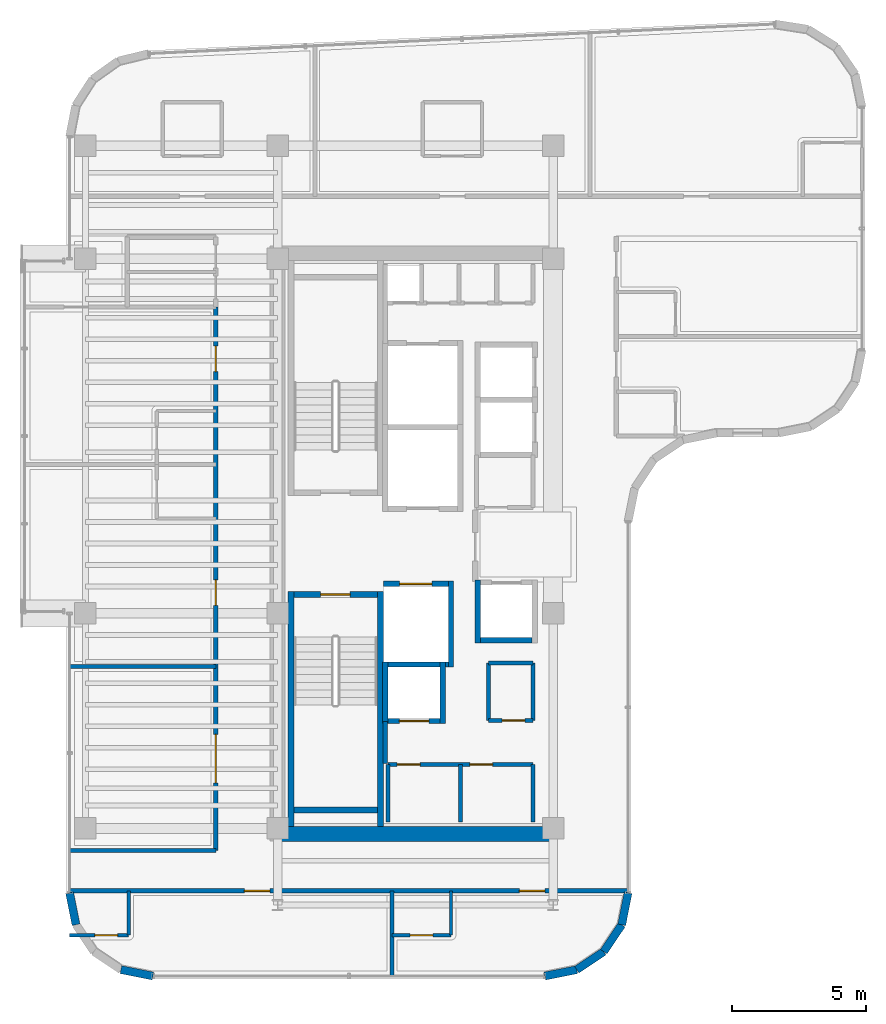
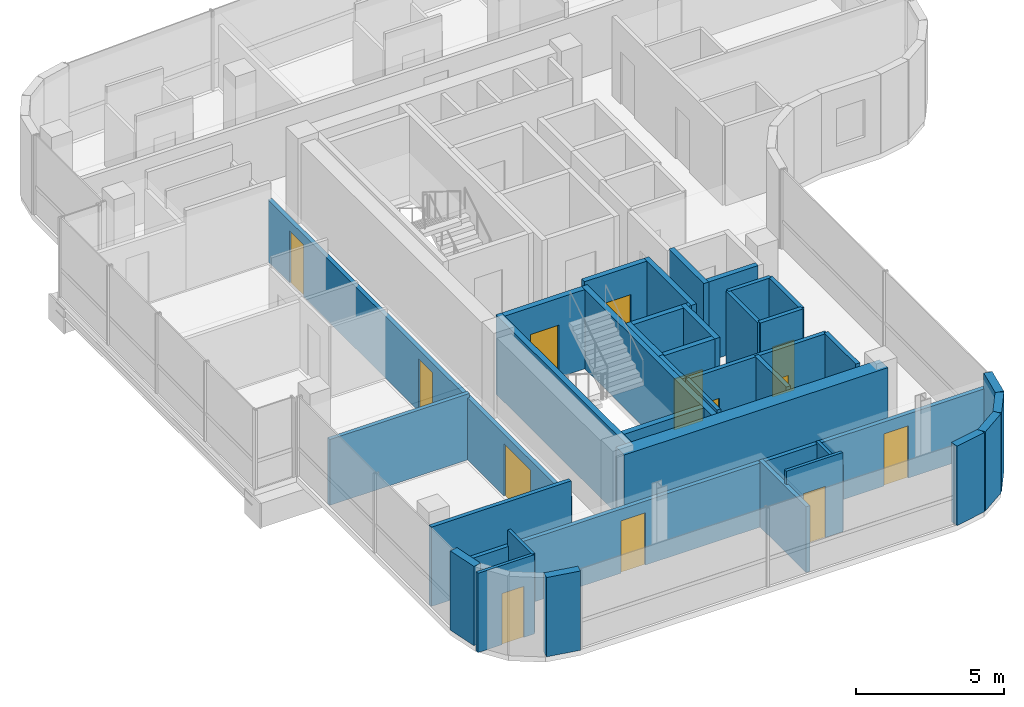
# One storey, part 14 of 20: 37 walls, 13 doors, 13 openings.
"""IFC4 building model written with IfcOpenShell, lengths in metres."""

from ifc_helpers import new_model, si_unit, direction, frame, frame_2d, origin, place, context, subcontext, project, spatial, rectangle, extrude, material, layer, layer_set, type_object, element, fill, save


model = new_model("IFC4")

# Units and contexts
model_context = context("Model", 3, precision=1e-05, world=origin(), true_north=direction((0.0, 1.0)))
body_context = subcontext(model_context, "Body", "Model", "MODEL_VIEW")
ifc_project = project(units=[si_unit("LENGTHUNIT", "METRE"), si_unit("AREAUNIT", "SQUARE_METRE"), si_unit("VOLUMEUNIT", "CUBIC_METRE"), si_unit("PLANEANGLEUNIT", "RADIAN"), si_unit("MASSUNIT", "GRAM", prefix="KILO")], contexts=[model_context])

# Site, building, storey
site_placement = place(None, origin())
site = spatial("IfcSite", under=ifc_project, at=site_placement, CompositionType="ELEMENT")
building_placement = place(site_placement, origin())
building = spatial("IfcBuilding", under=site, at=building_placement, Name="Valdorenza Pilgrim Sanctuary Tower", CompositionType="ELEMENT")
storey_placement = place(building_placement, frame((0.0, 0.0, 244.0)))
storey = spatial("IfcBuildingStorey", under=building, at=storey_placement, Name="L63", CompositionType="ELEMENT", Elevation=244.0)

# Wall
ifc_material_1 = material(Name="Acoustic twin-stud gypsum partition", Category="gypsum")
ifc_layer_1 = layer(ifc_material_1, 0.159912109375, Name="Acoustic twin-stud gypsum partition")
ifc_layer_set_1 = layer_set([ifc_layer_1], Name="Acoustic twin-stud gypsum partition")
wall_type_1 = type_object("IfcWallType", Name="WAL-COR-160", PredefinedType="PARTITIONING", material=ifc_layer_set_1)
wall_1_placement = place(storey_placement, frame((-18.64990234375, -8.179931640625, 0.0), z_axis=(0.0, 0.0, 1.0), x_axis=(0.0, 1.0, 0.0)))
element("IfcWall", 1, at=wall_1_placement, inside=storey, type_object=wall_type_1, Name="L63 Core A South Lift Hall West Wall", PredefinedType="PARTITIONING", context=body_context, shape_type="SweptSolid", body=[
    extrude(rectangle(XDim=1.559814453125, YDim=0.159912109375, at=frame_2d((0.77978515625, 0.0))), origin(), (0.0, 0.0, 1.0), 3.260009765625),
])

# Wall, openings, doors
wall_2_placement = place(storey_placement, frame((-18.550048828125, -8.219970703125, 0.0), z_axis=(0.0, 0.0, 1.0), x_axis=(1.0, 0.0, 0.0)))
wall_2 = element("IfcWall", 2, at=wall_2_placement, inside=storey, type_object=wall_type_1, Name="L63 Freed Shaft 1 North Wall", PredefinedType="PARTITIONING", context=body_context, shape_type="SweptSolid", body=[
    extrude(rectangle(XDim=5.400146484375, YDim=0.159912109375, at=frame_2d((2.7001953125, 0.0))), origin(), (0.0, 0.0, 1.0), 3.260009765625),
])
opening_1_placement = place(wall_2_placement, frame((0.35009765625, 0.0, 0.0)))
opening_1 = element("IfcOpeningElement", 3, at=opening_1_placement, cuts=wall_2, Name="Opening DR-RS1", PredefinedType="OPENING", context=body_context, shape_type="SweptSolid", body=[
    extrude(rectangle(XDim=0.85009765625, YDim=2.050048828125, at=frame_2d((0.425048828125, 1.02490234375))), frame((0.0, 0.0947265625, 0.0), z_axis=(0.0, -1.0, 0.0), x_axis=(1.0, 0.0, 0.0)), (0.0, 0.0, 1.0), 0.189697265625),
])
opening_2_placement = place(wall_2_placement, frame((3.050048828125, 0.0, 0.0)))
opening_2 = element("IfcOpeningElement", 4, at=opening_2_placement, cuts=wall_2, Name="Opening DR-RS1", PredefinedType="OPENING", context=body_context, shape_type="SweptSolid", body=[
    extrude(rectangle(XDim=0.85009765625, YDim=2.050048828125, at=frame_2d((0.425048828125, 1.02490234375))), frame((0.0, 0.0947265625, 0.0), z_axis=(0.0, -1.0, 0.0), x_axis=(1.0, 0.0, 0.0)), (0.0, 0.0, 1.0), 0.189697265625),
])
ifc_material_2 = material(Name="Painted galvanized steel", Category="steel")
door_type_1 = type_object("IfcDoorType", Name="DR-RSR-850", OperationType="NOTDEFINED", PredefinedType="DOOR", material=ifc_material_2)
door_1_placement = place(opening_1_placement, origin())
door_1 = element("IfcDoor", 5, at=door_1_placement, inside=storey, type_object=door_type_1, Name="L63 Linen Store Door", OperationType="SINGLE_SWING_LEFT", OverallHeight=2.050048828125, OverallWidth=0.85009765625, PredefinedType="DOOR", context=body_context, shape_type="SweptSolid", body=[
    extrude(rectangle(XDim=0.85009765625, YDim=2.050048828125, at=frame_2d((0.425048828125, 1.02490234375))), frame((0.0, 0.02490234375, 0.0), z_axis=(0.0, -1.0, 0.0), x_axis=(1.0, 0.0, 0.0)), (0.0, 0.0, 1.0), 0.050048828125),
])
fill(opening_1, door_1)
door_2_placement = place(opening_2_placement, origin())
door_2 = element("IfcDoor", 6, at=door_2_placement, inside=storey, type_object=door_type_1, Name="L63 Cot Store Door", OperationType="SINGLE_SWING_RIGHT", OverallHeight=2.050048828125, OverallWidth=0.85009765625, PredefinedType="DOOR", context=body_context, shape_type="SweptSolid", body=[
    extrude(rectangle(XDim=0.85009765625, YDim=2.050048828125, at=frame_2d((0.425048828125, 1.02490234375))), frame((0.0, 0.02490234375, 0.0), z_axis=(0.0, -1.0, 0.0), x_axis=(1.0, 0.0, 0.0)), (0.0, 0.0, 1.0), 0.050048828125),
])
fill(opening_2, door_2)

# Walls
for number, where, z_axis, x_axis, name in (
    (7, (-13.14990234375, -10.35009765625, 0.0), (0.0, 0.0, 1.0), (0.0, 1.0, 0.0), "L63 Freed Shaft 1 East Wall"),
    (8, (-15.85009765625, -10.35009765625, 0.0), (0.0, 0.0, 1.0), (0.0, 1.0, 0.0), "L63 Freed Shaft 1 Split Wall"),
):
    element("IfcWall", number, at=place(storey_placement, frame(where, z_axis=z_axis, x_axis=x_axis)), inside=storey, type_object=wall_type_1, Name=name, PredefinedType="PARTITIONING", context=body_context, shape_type="SweptSolid", body=[
        extrude(rectangle(XDim=2.130126953125, YDim=0.159912109375, at=frame_2d((1.06494140625, 0.0))), origin(), (0.0, 0.0, 1.0), 3.260009765625),
    ])

# Wall, opening, door
wall_3_placement = place(storey_placement, frame((-14.800048828125, -6.580078125, 0.0), z_axis=(0.0, 0.0, 1.0), x_axis=(1.0, 0.0, 0.0)))
wall_3 = element("IfcWall", 9, at=wall_3_placement, inside=storey, type_object=wall_type_1, Name="L63 Freed Shaft 2 South Wall", PredefinedType="PARTITIONING", context=body_context, shape_type="SweptSolid", body=[
    extrude(rectangle(XDim=1.650146484375, YDim=0.159912109375, at=frame_2d((0.8251953125, 0.0))), origin(), (0.0, 0.0, 1.0), 3.260009765625),
])
opening_3_placement = place(wall_3_placement, frame((0.5, 0.0, 0.0)))
opening_3 = element("IfcOpeningElement", 10, at=opening_3_placement, cuts=wall_3, Name="Opening DR-RS1", PredefinedType="OPENING", context=body_context, shape_type="SweptSolid", body=[
    extrude(rectangle(XDim=0.85009765625, YDim=2.050048828125, at=frame_2d((0.425048828125, 1.02490234375))), frame((0.0, 0.0947265625, 0.0), z_axis=(0.0, -1.0, 0.0), x_axis=(1.0, 0.0, 0.0)), (0.0, 0.0, 1.0), 0.189697265625),
])
door_3_placement = place(opening_3_placement, origin())
door_3 = element("IfcDoor", 11, at=door_3_placement, inside=storey, type_object=door_type_1, Name="L63 Guest Tea Pantry Door", OperationType="SINGLE_SWING_LEFT", OverallHeight=2.050048828125, OverallWidth=0.85009765625, PredefinedType="DOOR", context=body_context, shape_type="SweptSolid", body=[
    extrude(rectangle(XDim=0.85009765625, YDim=2.050048828125, at=frame_2d((0.425048828125, 1.02490234375))), frame((0.0, 0.02490234375, 0.0), z_axis=(0.0, -1.0, 0.0), x_axis=(1.0, 0.0, 0.0)), (0.0, 0.0, 1.0), 0.050048828125),
])
fill(opening_3, door_3)

# Wall
wall_4_placement = place(storey_placement, frame((-13.14990234375, -6.580078125, 0.0), z_axis=(0.0, 0.0, 1.0), x_axis=(0.0, 1.0, 0.0)))
element("IfcWall", 12, at=wall_4_placement, inside=storey, type_object=wall_type_1, Name="L63 Freed Shaft 2 East Wall", PredefinedType="PARTITIONING", context=body_context, shape_type="SweptSolid", body=[
    extrude(rectangle(XDim=2.130126953125, YDim=0.159912109375, at=frame_2d((1.06494140625, 0.0))), origin(), (0.0, 0.0, 1.0), 3.260009765625),
])

# Wall, openings, doors
wall_5_placement = place(storey_placement, frame((-24.949951171875, -11.419921875, 0.0), z_axis=(0.0, 0.0, 1.0), x_axis=(0.0, 1.0, 0.0)))
wall_5 = element("IfcWall", 13, at=wall_5_placement, inside=storey, type_object=wall_type_1, Name="L63 West Wing Corridor Wall", PredefinedType="PARTITIONING", context=body_context, shape_type="SweptSolid", body=[
    extrude(rectangle(XDim=20.219970703125, YDim=0.159912109375, at=frame_2d((10.10986328125, 0.0))), origin(), (0.0, 0.0, 1.0), 2.5439453125),
])
opening_4_placement = place(wall_5_placement, frame((2.52099609375, 0.0, 0.0)))
opening_4 = element("IfcOpeningElement", 14, at=opening_4_placement, cuts=wall_5, Name="Opening DR-HL1", PredefinedType="OPENING", context=body_context, shape_type="SweptSolid", body=[
    extrude(rectangle(XDim=1.800048828125, YDim=2.14990234375, at=frame_2d((0.89990234375, 1.074951171875))), frame((0.0, 0.0947265625, 0.0), z_axis=(0.0, -1.0, 0.0), x_axis=(1.0, 0.0, 0.0)), (0.0, 0.0, 1.0), 0.189697265625),
])
opening_5_placement = place(wall_5_placement, frame((9.1240234375, 0.0, 0.0)))
opening_5 = element("IfcOpeningElement", 15, at=opening_5_placement, cuts=wall_5, Name="Opening DR-UN1", PredefinedType="OPENING", context=body_context, shape_type="SweptSolid", body=[
    extrude(rectangle(XDim=0.949951171875, YDim=2.14990234375, at=frame_2d((0.47509765625, 1.074951171875))), frame((0.0, 0.0947265625, 0.0), z_axis=(0.0, -1.0, 0.0), x_axis=(1.0, 0.0, 0.0)), (0.0, 0.0, 1.0), 0.189697265625),
])
opening_6_placement = place(wall_5_placement, frame((17.81298828125, 0.0, 0.0)))
opening_6 = element("IfcOpeningElement", 16, at=opening_6_placement, cuts=wall_5, Name="Opening DR-UN1", PredefinedType="OPENING", context=body_context, shape_type="SweptSolid", body=[
    extrude(rectangle(XDim=0.949951171875, YDim=2.14990234375, at=frame_2d((0.47509765625, 1.074951171875))), frame((0.0, 0.0947265625, 0.0), z_axis=(0.0, -1.0, 0.0), x_axis=(1.0, 0.0, 0.0)), (0.0, 0.0, 1.0), 0.189697265625),
])
ifc_material_3 = material(Name="Acoustic oak and vision-glass double door", Category="glass")
door_type_2 = type_object("IfcDoorType", Name="DR-HALL-1800", OperationType="NOTDEFINED", PredefinedType="DOOR", material=ifc_material_3)
door_4_placement = place(opening_4_placement, origin())
door_4 = element("IfcDoor", 17, at=door_4_placement, inside=storey, type_object=door_type_2, Name="L63 Pilgrim Language Classroom L63 Door", OperationType="DOUBLE_DOOR_SINGLE_SWING", OverallHeight=2.14990234375, OverallWidth=1.800048828125, PredefinedType="DOOR", context=body_context, shape_type="SweptSolid", body=[
    extrude(rectangle(XDim=1.800048828125, YDim=2.14990234375, at=frame_2d((0.89990234375, 1.074951171875))), frame((0.0, 0.02490234375, 0.0), z_axis=(0.0, -1.0, 0.0), x_axis=(1.0, 0.0, 0.0)), (0.0, 0.0, 1.0), 0.050048828125),
])
fill(opening_4, door_4)
ifc_material_4 = material(Name="Solid-core European oak timber", Category="wood")
door_type_3 = type_object("IfcDoorType", Name="DR-UNIT-950", OperationType="NOTDEFINED", PredefinedType="DOOR", material=ifc_material_4)
door_5_placement = place(opening_5_placement, frame((0.949951171875, 0.0, 0.0), z_axis=(0.0, 0.0, 1.0), x_axis=(-1.0, 0.0, 0.0)))
door_5 = element("IfcDoor", 18, at=door_5_placement, inside=storey, type_object=door_type_3, Name="L63 Pilgrim Guest Room L63-HW1 Entrance Door", OperationType="SINGLE_SWING_LEFT", OverallHeight=2.14990234375, OverallWidth=0.949951171875, PredefinedType="DOOR", context=body_context, shape_type="SweptSolid", body=[
    extrude(rectangle(XDim=0.949951171875, YDim=2.14990234375, at=frame_2d((0.47509765625, 1.074951171875))), frame((0.0, 0.02490234375, 0.0), z_axis=(0.0, -1.0, 0.0), x_axis=(1.0, 0.0, 0.0)), (0.0, 0.0, 1.0), 0.050048828125),
])
fill(opening_5, door_5)
door_6_placement = place(opening_6_placement, frame((0.949951171875, 0.0, 0.0), z_axis=(0.0, 0.0, 1.0), x_axis=(-1.0, 0.0, 0.0)))
door_6 = element("IfcDoor", 19, at=door_6_placement, inside=storey, type_object=door_type_3, Name="L63 Pilgrim Guest Room L63-HW2 Entrance Door", OperationType="SINGLE_SWING_LEFT", OverallHeight=2.14990234375, OverallWidth=0.949951171875, PredefinedType="DOOR", context=body_context, shape_type="SweptSolid", body=[
    extrude(rectangle(XDim=0.949951171875, YDim=2.14990234375, at=frame_2d((0.47509765625, 1.074951171875))), frame((0.0, 0.02490234375, 0.0), z_axis=(0.0, -1.0, 0.0), x_axis=(1.0, 0.0, 0.0)), (0.0, 0.0, 1.0), 0.050048828125),
])
fill(opening_6, door_6)

wall_6_placement = place(storey_placement, frame((-30.389892578125, -12.919921875, 0.0), z_axis=(0.0, 0.0, 1.0), x_axis=(1.0, 0.0, 0.0)))
wall_6 = element("IfcWall", 20, at=wall_6_placement, inside=storey, type_object=wall_type_1, Name="L63 South Wing Corridor Wall", PredefinedType="PARTITIONING", context=body_context, shape_type="SweptSolid", body=[
    extrude(rectangle(XDim=20.77978515625, YDim=0.159912109375, at=frame_2d((10.389892578125, 0.0))), origin(), (0.0, 0.0, 1.0), 2.634033203125),
])
opening_7_placement = place(wall_6_placement, frame((6.5, 0.0, 0.0)))
opening_7 = element("IfcOpeningElement", 21, at=opening_7_placement, cuts=wall_6, Name="Opening DR-UN1", PredefinedType="OPENING", context=body_context, shape_type="SweptSolid", body=[
    extrude(rectangle(XDim=0.949951171875, YDim=2.14990234375, at=frame_2d((0.47509765625, 1.074951171875))), frame((0.0, 0.0947265625, 0.0), z_axis=(0.0, -1.0, 0.0), x_axis=(1.0, 0.0, 0.0)), (0.0, 0.0, 1.0), 0.189697265625),
])
opening_8_placement = place(wall_6_placement, frame((16.72998046875, 0.0, 0.0)))
opening_8 = element("IfcOpeningElement", 22, at=opening_8_placement, cuts=wall_6, Name="Opening DR-UN1", PredefinedType="OPENING", context=body_context, shape_type="SweptSolid", body=[
    extrude(rectangle(XDim=0.949951171875, YDim=2.14990234375, at=frame_2d((0.47509765625, 1.074951171875))), frame((0.0, 0.0947265625, 0.0), z_axis=(0.0, -1.0, 0.0), x_axis=(1.0, 0.0, 0.0)), (0.0, 0.0, 1.0), 0.189697265625),
])
door_7_placement = place(opening_7_placement, frame((0.949951171875, 0.0, 0.0), z_axis=(0.0, 0.0, 1.0), x_axis=(-1.0, 0.0, 0.0)))
door_7 = element("IfcDoor", 23, at=door_7_placement, inside=storey, type_object=door_type_3, Name="L63 South Guest Room L63-S1 Entrance Door", OperationType="SINGLE_SWING_LEFT", OverallHeight=2.14990234375, OverallWidth=0.949951171875, PredefinedType="DOOR", context=body_context, shape_type="SweptSolid", body=[
    extrude(rectangle(XDim=0.949951171875, YDim=2.14990234375, at=frame_2d((0.47509765625, 1.074951171875))), frame((0.0, 0.02490234375, 0.0), z_axis=(0.0, -1.0, 0.0), x_axis=(1.0, 0.0, 0.0)), (0.0, 0.0, 1.0), 0.050048828125),
])
fill(opening_7, door_7)
door_8_placement = place(opening_8_placement, frame((0.949951171875, 0.0, 0.0), z_axis=(0.0, 0.0, 1.0), x_axis=(-1.0, 0.0, 0.0)))
door_8 = element("IfcDoor", 24, at=door_8_placement, inside=storey, type_object=door_type_3, Name="L63 South Guest Room L63-S2 Entrance Door", OperationType="SINGLE_SWING_LEFT", OverallHeight=2.14990234375, OverallWidth=0.949951171875, PredefinedType="DOOR", context=body_context, shape_type="SweptSolid", body=[
    extrude(rectangle(XDim=0.949951171875, YDim=2.14990234375, at=frame_2d((0.47509765625, 1.074951171875))), frame((0.0, 0.02490234375, 0.0), z_axis=(0.0, -1.0, 0.0), x_axis=(1.0, 0.0, 0.0)), (0.0, 0.0, 1.0), 0.050048828125),
])
fill(opening_8, door_8)

# Walls
wall_7_placement = place(storey_placement, frame((-30.389892578125, -11.419921875, 0.0), z_axis=(0.0, 0.0, 1.0), x_axis=(1.0, 0.0, 0.0)))
element("IfcWall", 25, at=wall_7_placement, inside=storey, type_object=wall_type_1, Name="L63 South-West Corridor North Wall", PredefinedType="PARTITIONING", context=body_context, shape_type="SweptSolid", body=[
    extrude(rectangle(XDim=5.43994140625, YDim=0.159912109375, at=frame_2d((2.719970703125, 0.0))), origin(), (0.0, 0.0, 1.0), 3.260009765625),
])
ifc_material_5 = material(Name="Concrete C50/60", Category="concrete")
ifc_layer_2 = layer(ifc_material_5, 0.550048828125, Name="Concrete C50/60")
ifc_layer_set_2 = layer_set([ifc_layer_2], Name="Concrete C50/60")
wall_type_2 = type_object("IfcWallType", Name="WAL-COR-550", PredefinedType="SHEAR", material=ifc_layer_set_2)
wall_8_placement = place(storey_placement, frame((-22.64990234375, -10.800048828125, 0.0), z_axis=(0.0, 0.0, 1.0), x_axis=(1.0, 0.0, 0.0)))
element("IfcWall", 26, at=wall_8_placement, inside=storey, type_object=wall_type_2, Name="L63 Split Core A Shear Wall S", PredefinedType="SHEAR", context=body_context, shape_type="SweptSolid", body=[
    extrude(rectangle(XDim=10.25, YDim=0.550048828125, at=frame_2d((5.125, 0.0))), origin(), (0.0, 0.0, 1.0), 3.260009765625),
])
ifc_material_6 = material(Name="Honed travertine limestone", Category="masonry")
ifc_layer_3 = layer(ifc_material_6, 0.300048828125, Name="Honed travertine limestone")
ifc_layer_set_3 = layer_set([ifc_layer_3], Name="Honed travertine limestone")
wall_type_3 = type_object("IfcWallType", Name="WAL-EXT-300", PredefinedType="SOLIDWALL", material=ifc_layer_set_3)
wall_9_placement = place(storey_placement, frame((-9.610107421875, -12.9892578125, 0.0), z_axis=(0.0, 0.0, 1.0), x_axis=(-0.194996050505, -0.980804027463, 0.0)))
element("IfcWall", 27, at=wall_9_placement, inside=storey, type_object=wall_type_3, Name="L63 Rounded Wind-Corner Stone Pier 22", PredefinedType="SOLIDWALL", context=body_context, shape_type="SweptSolid", body=[
    extrude(rectangle(XDim=1.2158203125, YDim=0.300048828125, at=frame_2d((0.60791015625, 0.0))), origin(), (0.0, 0.0, 1.0), 3.260009765625),
])
for number, where, z_axis, x_axis, name in (
    (28, (-9.84716796875, -14.181640625, 0.0), (0.0, 0.0, 1.0), (-0.555635100982, -0.831426265255, 0.0), "L63 Rounded Wind-Corner Stone Pier 23"),
    (29, (-10.5166015625, -15.183349609375, 0.0), (0.0, 0.0, 1.0), (-0.831426265255, -0.555635100982, 0.0), "L63 Rounded Wind-Corner Stone Pier 24"),
):
    element("IfcWall", number, at=place(storey_placement, frame(where, z_axis=z_axis, x_axis=x_axis)), inside=storey, type_object=wall_type_3, Name=name, PredefinedType="SOLIDWALL", context=body_context, shape_type="SweptSolid", body=[
        extrude(rectangle(XDim=1.204833984375, YDim=0.300048828125, at=frame_2d((0.6025390625, 0.0))), origin(), (0.0, 0.0, 1.0), 3.260009765625),
    ])
for number, where, z_axis, x_axis, name in (
    (30, (-11.518310546875, -15.852783203125, 0.0), (0.0, 0.0, 1.0), (-0.980765602568, -0.195189223115, 0.0), "L63 Rounded Wind-Corner Stone Pier 25"),
    (31, (-27.289306640625, -16.090087890625, 0.0), (0.0, 0.0, 1.0), (-0.980765602568, 0.195189223115, 0.0), "L63 Rounded Wind-Corner Stone Pier 27"),
    (32, (-30.15283203125, -14.181640625, 0.0), (0.0, 0.0, 1.0), (-0.194996050505, 0.980804027463, 0.0), "L63 Rounded Wind-Corner Stone Pier 30"),
):
    element("IfcWall", number, at=place(storey_placement, frame(where, z_axis=z_axis, x_axis=x_axis)), inside=storey, type_object=wall_type_3, Name=name, PredefinedType="SOLIDWALL", context=body_context, shape_type="SweptSolid", body=[
        extrude(rectangle(XDim=1.2158203125, YDim=0.300048828125, at=frame_2d((0.60791015625, 0.0))), origin(), (0.0, 0.0, 1.0), 3.260009765625),
    ])
ifc_material_7 = material(Name="Moisture-resistant gypsum partition", Category="gypsum")
ifc_layer_4 = layer(ifc_material_7, 0.1201171875, Name="Moisture-resistant gypsum partition")
ifc_layer_set_4 = layer_set([ifc_layer_4], Name="Moisture-resistant gypsum partition")
wall_type_4 = type_object("IfcWallType", Name="WAL-INT-120", PredefinedType="PARTITIONING", material=ifc_layer_set_4)
wall_10_placement = place(storey_placement, frame((-28.18994140625, -14.570068359375, 0.0), z_axis=(0.0, 0.0, 1.0), x_axis=(0.0, 1.0, 0.0)))
element("IfcWall", 33, at=wall_10_placement, inside=storey, type_object=wall_type_4, Name="L63 South Guest Room L63-S1 En-suite East Wall", PredefinedType="PARTITIONING", context=body_context, shape_type="SweptSolid", body=[
    extrude(rectangle(XDim=1.650146484375, YDim=0.1201171875, at=frame_2d((0.8251953125, 0.0))), origin(), (0.0, 0.0, 1.0), 3.260009765625),
])

# Wall, opening, door
wall_11_placement = place(storey_placement, frame((-30.389892578125, -14.570068359375, 0.0), z_axis=(0.0, 0.0, 1.0), x_axis=(1.0, 0.0, 0.0)))
wall_11 = element("IfcWall", 34, at=wall_11_placement, inside=storey, type_object=wall_type_4, Name="L63 South Guest Room L63-S1 En-suite Door Wall", PredefinedType="PARTITIONING", context=body_context, shape_type="SweptSolid", body=[
    extrude(rectangle(XDim=2.199951171875, YDim=0.1201171875, at=frame_2d((1.10009765625, 0.0))), origin(), (0.0, 0.0, 1.0), 3.260009765625),
])
opening_9_placement = place(wall_11_placement, frame((0.93994140625, 0.0, 0.0)))
opening_9 = element("IfcOpeningElement", 35, at=opening_9_placement, cuts=wall_11, Name="Opening DR-WC1", PredefinedType="OPENING", context=body_context, shape_type="SweptSolid", body=[
    extrude(rectangle(XDim=0.85009765625, YDim=2.10009765625, at=frame_2d((0.425048828125, 1.050048828125))), frame((0.0, 0.074951171875, 0.0), z_axis=(0.0, -1.0, 0.0), x_axis=(1.0, 0.0, 0.0)), (0.0, 0.0, 1.0), 0.14990234375),
])
ifc_material_8 = material(Name="Moisture-resistant lacquered timber", Category="wood")
door_type_4 = type_object("IfcDoorType", Name="DR-BATH-850", OperationType="NOTDEFINED", PredefinedType="DOOR", material=ifc_material_8)
door_9_placement = place(opening_9_placement, origin())
door_9 = element("IfcDoor", 36, at=door_9_placement, inside=storey, type_object=door_type_4, Name="L63 South Guest Room L63-S1 En-suite Bathroom Door", OperationType="SINGLE_SWING_RIGHT", OverallHeight=2.10009765625, OverallWidth=0.85009765625, PredefinedType="DOOR", context=body_context, shape_type="SweptSolid", body=[
    extrude(rectangle(XDim=0.85009765625, YDim=2.10009765625, at=frame_2d((0.425048828125, 1.050048828125))), frame((0.0, 0.02490234375, 0.0), z_axis=(0.0, -1.0, 0.0), x_axis=(1.0, 0.0, 0.0)), (0.0, 0.0, 1.0), 0.050048828125),
])
fill(opening_9, door_9)

# Wall
wall_12_placement = place(storey_placement, frame((-16.199951171875, -14.570068359375, 0.0), z_axis=(0.0, 0.0, 1.0), x_axis=(0.0, 1.0, 0.0)))
element("IfcWall", 37, at=wall_12_placement, inside=storey, type_object=wall_type_4, Name="L63 South Guest Room L63-S2 En-suite East Wall", PredefinedType="PARTITIONING", context=body_context, shape_type="SweptSolid", body=[
    extrude(rectangle(XDim=1.650146484375, YDim=0.1201171875, at=frame_2d((0.8251953125, 0.0))), origin(), (0.0, 0.0, 1.0), 2.7060546875),
])

# Wall, opening, door
wall_13_placement = place(storey_placement, frame((-18.39990234375, -14.570068359375, 0.0), z_axis=(0.0, 0.0, 1.0), x_axis=(1.0, 0.0, 0.0)))
wall_13 = element("IfcWall", 38, at=wall_13_placement, inside=storey, type_object=wall_type_4, Name="L63 South Guest Room L63-S2 En-suite Door Wall", PredefinedType="PARTITIONING", context=body_context, shape_type="SweptSolid", body=[
    extrude(rectangle(XDim=2.199951171875, YDim=0.1201171875, at=frame_2d((1.10009765625, 0.0))), origin(), (0.0, 0.0, 1.0), 3.260009765625),
])
opening_10_placement = place(wall_13_placement, frame((0.675048828125, 0.0, 0.0)))
opening_10 = element("IfcOpeningElement", 39, at=opening_10_placement, cuts=wall_13, Name="Opening DR-WC1", PredefinedType="OPENING", context=body_context, shape_type="SweptSolid", body=[
    extrude(rectangle(XDim=0.85009765625, YDim=2.10009765625, at=frame_2d((0.425048828125, 1.050048828125))), frame((0.0, 0.074951171875, 0.0), z_axis=(0.0, -1.0, 0.0), x_axis=(1.0, 0.0, 0.0)), (0.0, 0.0, 1.0), 0.14990234375),
])
door_10_placement = place(opening_10_placement, origin())
door_10 = element("IfcDoor", 40, at=door_10_placement, inside=storey, type_object=door_type_4, Name="L63 South Guest Room L63-S2 En-suite Bathroom Door", OperationType="SINGLE_SWING_RIGHT", OverallHeight=2.10009765625, OverallWidth=0.85009765625, PredefinedType="DOOR", context=body_context, shape_type="SweptSolid", body=[
    extrude(rectangle(XDim=0.85009765625, YDim=2.10009765625, at=frame_2d((0.425048828125, 1.050048828125))), frame((0.0, 0.02490234375, 0.0), z_axis=(0.0, -1.0, 0.0), x_axis=(1.0, 0.0, 0.0)), (0.0, 0.0, 1.0), 0.050048828125),
])
fill(opening_10, door_10)

# Walls
ifc_material_9 = material(Name="Autoclaved aerated concrete blockwork", Category="masonry")
ifc_layer_5 = layer(ifc_material_9, 0.199951171875, Name="Autoclaved aerated concrete blockwork")
ifc_layer_set_5 = layer_set([ifc_layer_5], Name="Autoclaved aerated concrete blockwork")
wall_type_5 = type_object("IfcWallType", Name="WAL-SHF-200", PredefinedType="MOVABLE", material=ifc_layer_set_5)
wall_14_placement = place(storey_placement, frame((-16.199951171875, -4.60009765625, 0.0), z_axis=(0.0, 0.0, 1.0), x_axis=(0.0, 1.0, 0.0)))
element("IfcWall", 41, at=wall_14_placement, inside=storey, type_object=wall_type_5, Name="L63 Lift FFL-02 Hoistway Wall East", PredefinedType="MOVABLE", context=body_context, shape_type="SweptSolid", body=[
    extrude(rectangle(XDim=3.2001953125, YDim=0.199951171875, at=frame_2d((1.60009765625, 0.0))), origin(), (0.0, 0.0, 1.0), 3.260009765625),
])
wall_15_placement = place(storey_placement, frame((-18.719970703125, -4.5, 0.0), z_axis=(0.0, 0.0, 1.0), x_axis=(1.0, 0.0, 0.0)))
element("IfcWall", 42, at=wall_15_placement, inside=storey, type_object=wall_type_5, Name="L63 Lift FFL-02 Hoistway Wall South", PredefinedType="MOVABLE", context=body_context, shape_type="SweptSolid", body=[
    extrude(rectangle(XDim=2.419921875, YDim=0.199951171875, at=frame_2d((1.2099609375, 0.0))), origin(), (0.0, 0.0, 1.0), 3.260009765625),
])

# Wall, opening, door
wall_16_placement = place(storey_placement, frame((-18.719970703125, -1.5, 0.0), z_axis=(0.0, 0.0, 1.0), x_axis=(1.0, 0.0, 0.0)))
wall_16 = element("IfcWall", 43, at=wall_16_placement, inside=storey, type_object=wall_type_5, Name="L63 Lift FFL-02 Hoistway Wall North", PredefinedType="MOVABLE", context=body_context, shape_type="SweptSolid", body=[
    extrude(rectangle(XDim=2.419921875, YDim=0.199951171875, at=frame_2d((1.2099609375, 0.0))), origin(), (0.0, 0.0, 1.0), 3.260009765625),
])
opening_11_placement = place(wall_16_placement, frame((0.610107421875, 0.0, 0.0)))
opening_11 = element("IfcOpeningElement", 44, at=opening_11_placement, cuts=wall_16, Name="Opening LD-02", PredefinedType="OPENING", context=body_context, shape_type="SweptSolid", body=[
    extrude(rectangle(XDim=1.199951171875, YDim=2.10009765625, at=frame_2d((0.60009765625, 1.050048828125))), frame((0.0, 0.11474609375, 0.0), z_axis=(0.0, -1.0, 0.0), x_axis=(1.0, 0.0, 0.0)), (0.0, 0.0, 1.0), 0.229736328125),
])
ifc_material_10 = material(Name="Brushed stainless steel Grade 316", Category="steel")
door_type_5 = type_object("IfcDoorType", Name="DR-LFT-1200", OperationType="DOUBLE_DOOR_SLIDING", PredefinedType="DOOR", material=ifc_material_10)
door_11_placement = place(opening_11_placement, origin())
door_11 = element("IfcDoor", 45, at=door_11_placement, inside=storey, type_object=door_type_5, Name="L63 Lift FFL-02 Sliding Landing Door", OperationType="DOUBLE_DOOR_SLIDING", OverallHeight=2.10009765625, OverallWidth=1.199951171875, PredefinedType="DOOR", context=body_context, shape_type="SweptSolid", body=[
    extrude(rectangle(XDim=1.199951171875, YDim=2.10009765625, at=frame_2d((0.60009765625, 1.050048828125))), frame((0.0, 0.02490234375, 0.0), z_axis=(0.0, -1.0, 0.0), x_axis=(1.0, 0.0, 0.0)), (0.0, 0.0, 1.0), 0.050048828125),
])
fill(opening_11, door_11)

# Walls
for number, where, z_axis, x_axis, name in (
    (46, (-18.64990234375, -6.699951171875, 0.0), (0.0, 0.0, 1.0), (0.0, 1.0, 0.0), "L63 Lift PL-11 Hoistway Wall West"),
    (47, (-16.5, -6.699951171875, 0.0), (0.0, 0.0, 1.0), (0.0, 1.0, 0.0), "L63 Lift PL-11 Hoistway Wall East"),
):
    element("IfcWall", number, at=place(storey_placement, frame(where, z_axis=z_axis, x_axis=x_axis)), inside=storey, type_object=wall_type_5, Name=name, PredefinedType="MOVABLE", context=body_context, shape_type="SweptSolid", body=[
        extrude(rectangle(XDim=2.300048828125, YDim=0.199951171875, at=frame_2d((1.14990234375, 0.0))), origin(), (0.0, 0.0, 1.0), 3.260009765625),
    ])

# Wall, opening, door
wall_17_placement = place(storey_placement, frame((-18.550048828125, -6.60009765625, 0.0), z_axis=(0.0, 0.0, 1.0), x_axis=(1.0, 0.0, 0.0)))
wall_17 = element("IfcWall", 48, at=wall_17_placement, inside=storey, type_object=wall_type_5, Name="L63 Lift PL-11 Hoistway Wall South", PredefinedType="MOVABLE", context=body_context, shape_type="SweptSolid", body=[
    extrude(rectangle(XDim=1.949951171875, YDim=0.199951171875, at=frame_2d((0.97509765625, 0.0))), origin(), (0.0, 0.0, 1.0), 3.260009765625),
])
opening_12_placement = place(wall_17_placement, frame((0.425048828125, 0.0, 0.0)))
opening_12 = element("IfcOpeningElement", 49, at=opening_12_placement, cuts=wall_17, Name="Opening LD-01", PredefinedType="OPENING", context=body_context, shape_type="SweptSolid", body=[
    extrude(rectangle(XDim=1.10009765625, YDim=2.10009765625, at=frame_2d((0.550048828125, 1.050048828125))), frame((0.0, 0.11474609375, 0.0), z_axis=(0.0, -1.0, 0.0), x_axis=(1.0, 0.0, 0.0)), (0.0, 0.0, 1.0), 0.229736328125),
])
door_type_6 = type_object("IfcDoorType", Name="DR-LFT-1100", OperationType="DOUBLE_DOOR_SLIDING", PredefinedType="DOOR", material=ifc_material_10)
door_12_placement = place(opening_12_placement, origin())
door_12 = element("IfcDoor", 50, at=door_12_placement, inside=storey, type_object=door_type_6, Name="L63 Lift PL-11 Sliding Landing Door", OperationType="DOUBLE_DOOR_SLIDING", OverallHeight=2.10009765625, OverallWidth=1.10009765625, PredefinedType="DOOR", context=body_context, shape_type="SweptSolid", body=[
    extrude(rectangle(XDim=1.10009765625, YDim=2.10009765625, at=frame_2d((0.550048828125, 1.050048828125))), frame((0.0, 0.02490234375, 0.0), z_axis=(0.0, -1.0, 0.0), x_axis=(1.0, 0.0, 0.0)), (0.0, 0.0, 1.0), 0.050048828125),
])
fill(opening_12, door_12)

# Walls
wall_18_placement = place(storey_placement, frame((-15.199951171875, -3.699951171875, 0.0), z_axis=(0.0, 0.0, 1.0), x_axis=(0.0, 1.0, 0.0)))
element("IfcWall", 51, at=wall_18_placement, inside=storey, type_object=wall_type_5, Name="L63 Lift PL-12 Hoistway Wall West", PredefinedType="MOVABLE", context=body_context, shape_type="SweptSolid", body=[
    extrude(rectangle(XDim=2.349853515625, YDim=0.199951171875, at=frame_2d((1.1748046875, 0.0))), origin(), (0.0, 0.0, 1.0), 3.260009765625),
])
wall_19_placement = place(storey_placement, frame((-15.10009765625, -3.60009765625, 0.0), z_axis=(0.0, 0.0, 1.0), x_axis=(1.0, 0.0, 0.0)))
element("IfcWall", 52, at=wall_19_placement, inside=storey, type_object=wall_type_5, Name="L63 Lift PL-12 Hoistway Wall South", PredefinedType="MOVABLE", context=body_context, shape_type="SweptSolid", body=[
    extrude(rectangle(XDim=1.920166015625, YDim=0.199951171875, at=frame_2d((0.9599609375, 0.0))), origin(), (0.0, 0.0, 1.0), 3.260009765625),
])
ifc_material_11 = material(Name="Concrete C40/50", Category="concrete")
ifc_layer_6 = layer(ifc_material_11, 0.219970703125, Name="Concrete C40/50")
ifc_layer_set_6 = layer_set([ifc_layer_6], Name="Concrete C40/50")
wall_type_6 = type_object("IfcWallType", Name="WAL-STR-SHF-220", PredefinedType="SHEAR", material=ifc_layer_set_6)
for number, where, z_axis, x_axis, name in (
    (53, (-22.159912109375, -10.52490234375, 0.0), (0.0, 0.0, 1.0), (0.0, 1.0, 0.0), "L63 ST-A2 Structural Stairwell Wall W"),
    (54, (-18.830078125, -10.52490234375, 0.0), (0.0, 0.0, 1.0), (0.0, 1.0, 0.0), "L63 ST-A2 Structural Stairwell Wall E"),
):
    element("IfcWall", number, at=place(storey_placement, frame(where, z_axis=z_axis, x_axis=x_axis)), inside=storey, type_object=wall_type_6, Name=name, PredefinedType="SHEAR", context=body_context, shape_type="SweptSolid", body=[
        extrude(rectangle(XDim=8.744873046875, YDim=0.219970703125, at=frame_2d((4.37255859375, 0.0))), origin(), (0.0, 0.0, 1.0), 3.260009765625),
    ])
wall_20_placement = place(storey_placement, frame((-22.050048828125, -9.909912109375, 0.0), z_axis=(0.0, 0.0, 1.0), x_axis=(1.0, 0.0, 0.0)))
element("IfcWall", 55, at=wall_20_placement, inside=storey, type_object=wall_type_6, Name="L63 ST-A2 Structural Stairwell Wall S", PredefinedType="SHEAR", context=body_context, shape_type="SweptSolid", body=[
    extrude(rectangle(XDim=3.110107421875, YDim=0.219970703125, at=frame_2d((1.55517578125, 0.0))), origin(), (0.0, 0.0, 1.0), 3.260009765625),
])

# Wall, opening, door
wall_21_placement = place(storey_placement, frame((-22.050048828125, -1.889892578125, 0.0), z_axis=(0.0, 0.0, 1.0), x_axis=(1.0, 0.0, 0.0)))
wall_21 = element("IfcWall", 56, at=wall_21_placement, inside=storey, type_object=wall_type_6, Name="L63 ST-A2 Structural Stairwell Wall N", PredefinedType="SHEAR", context=body_context, shape_type="SweptSolid", body=[
    extrude(rectangle(XDim=3.110107421875, YDim=0.219970703125, at=frame_2d((1.55517578125, 0.0))), origin(), (0.0, 0.0, 1.0), 3.260009765625),
])
opening_13_placement = place(wall_21_placement, frame((1.0, 0.0, 0.0)))
opening_13 = element("IfcOpeningElement", 57, at=opening_13_placement, cuts=wall_21, Name="Opening DR-ST1", PredefinedType="OPENING", context=body_context, shape_type="SweptSolid", body=[
    extrude(rectangle(XDim=1.10009765625, YDim=2.14990234375, at=frame_2d((0.550048828125, 1.074951171875))), frame((0.0, 0.125, 0.0), z_axis=(0.0, -1.0, 0.0), x_axis=(1.0, 0.0, 0.0)), (0.0, 0.0, 1.0), 0.249755859375),
])
door_type_7 = type_object("IfcDoorType", Name="DR-STAIR-1100", OperationType="NOTDEFINED", PredefinedType="DOOR", material=ifc_material_2)
door_13_placement = place(opening_13_placement, origin())
door_13 = element("IfcDoor", 58, at=door_13_placement, inside=storey, type_object=door_type_7, Name="L63 Exit Stair ST-A2 Door", OperationType="SINGLE_SWING_RIGHT", OverallHeight=2.14990234375, OverallWidth=1.10009765625, PredefinedType="DOOR", context=body_context, shape_type="SweptSolid", body=[
    extrude(rectangle(XDim=1.10009765625, YDim=2.14990234375, at=frame_2d((0.550048828125, 1.074951171875))), frame((0.0, 0.02490234375, 0.0), z_axis=(0.0, -1.0, 0.0), x_axis=(1.0, 0.0, 0.0)), (0.0, 0.0, 1.0), 0.050048828125),
])
fill(opening_13, door_13)

# Walls
ifc_layer_7 = layer(ifc_material_1, 0.14990234375, Name="Acoustic twin-stud gypsum partition")
ifc_layer_set_7 = layer_set([ifc_layer_7], Name="Acoustic twin-stud gypsum partition")
wall_type_7 = type_object("IfcWallType", Name="WAL-UNT-150", PredefinedType="PARTITIONING", material=ifc_layer_set_7)
for number, where, z_axis, x_axis, name in (
    (59, (-18.550048828125, -10.35009765625, 0.0), (0.0, 0.0, 1.0), (0.0, 1.0, 0.0), "L63 Freed Shaft 1 West Wall"),
    (60, (-14.800048828125, -6.580078125, 0.0), (0.0, 0.0, 1.0), (0.0, 1.0, 0.0), "L63 Freed Shaft 2 West Wall"),
):
    element("IfcWall", number, at=place(storey_placement, frame(where, z_axis=z_axis, x_axis=x_axis)), inside=storey, type_object=wall_type_7, Name=name, PredefinedType="PARTITIONING", context=body_context, shape_type="SweptSolid", body=[
        extrude(rectangle(XDim=2.130126953125, YDim=0.14990234375, at=frame_2d((1.06494140625, 0.0))), origin(), (0.0, 0.0, 1.0), 3.260009765625),
    ])
wall_22_placement = place(storey_placement, frame((-14.800048828125, -4.449951171875, 0.0), z_axis=(0.0, 0.0, 1.0), x_axis=(1.0, 0.0, 0.0)))
element("IfcWall", 61, at=wall_22_placement, inside=storey, type_object=wall_type_7, Name="L63 Freed Shaft 2 North Wall", PredefinedType="PARTITIONING", context=body_context, shape_type="SweptSolid", body=[
    extrude(rectangle(XDim=1.650146484375, YDim=0.14990234375, at=frame_2d((0.8251953125, 0.0))), origin(), (0.0, 0.0, 1.0), 3.260009765625),
])
wall_23_placement = place(storey_placement, frame((-30.389892578125, -4.577880859375, 0.0), z_axis=(0.0, 0.0, 1.0), x_axis=(1.0, 0.0, 0.0)))
element("IfcWall", 62, at=wall_23_placement, inside=storey, type_object=wall_type_7, Name="L63 West Class Split 1", PredefinedType="PARTITIONING", context=body_context, shape_type="SweptSolid", body=[
    extrude(rectangle(XDim=5.43994140625, YDim=0.14990234375, at=frame_2d((2.719970703125, 0.0))), origin(), (0.0, 0.0, 1.0), 2.7060546875),
])
wall_24_placement = place(storey_placement, frame((-18.39990234375, -16.090087890625, 0.0), z_axis=(0.0, 0.0, 1.0), x_axis=(0.0, 1.0, 0.0)))
element("IfcWall", 63, at=wall_24_placement, inside=storey, type_object=wall_type_7, Name="L63 South Demising 1", PredefinedType="PARTITIONING", context=body_context, shape_type="SweptSolid", body=[
    extrude(rectangle(XDim=3.170166015625, YDim=0.14990234375, at=frame_2d((1.5849609375, 0.0))), origin(), (0.0, 0.0, 1.0), 2.7060546875),
])

save(model, "model.ifc")
